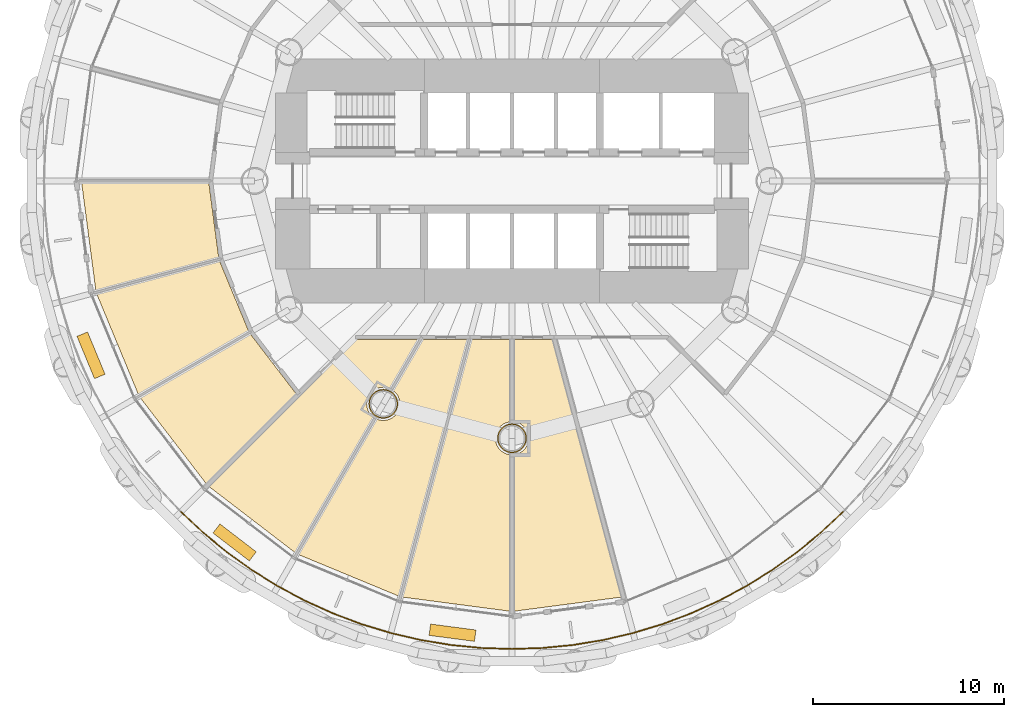
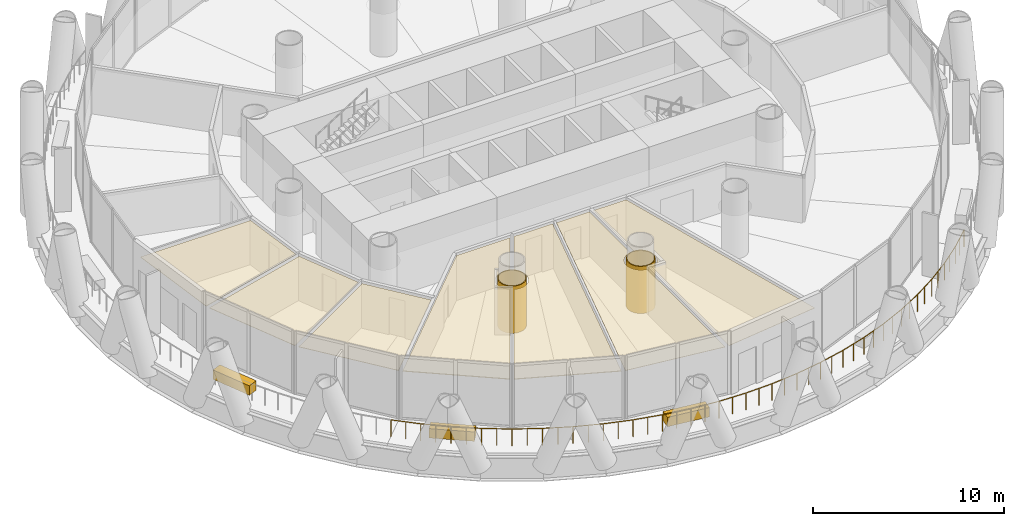
# One storey, part 13 of 16: 12 coverings, 1 railing.
"""IFC4 building model written with IfcOpenShell, lengths in metres."""

from ifc_helpers import new_model, si_unit, direction, frame, origin, origin_2d, place, context, subcontext, project, spatial, polyline, rectangle, circle, outline, extrude, material, layer, layer_set, type_object, element, save


model = new_model("IFC4")

# Units and contexts
model_context = context("Model", 3, precision=1e-05, world=origin(), true_north=direction((0.0, 1.0)))
body_context = subcontext(model_context, "Body", "Model", "MODEL_VIEW")
ifc_project = project(units=[si_unit("LENGTHUNIT", "METRE"), si_unit("AREAUNIT", "SQUARE_METRE"), si_unit("VOLUMEUNIT", "CUBIC_METRE"), si_unit("PLANEANGLEUNIT", "RADIAN"), si_unit("MASSUNIT", "GRAM", prefix="KILO")], contexts=[model_context])

# Site, building, storey
site_placement = place(None, origin())
site = spatial("IfcSite", under=ifc_project, at=site_placement, CompositionType="ELEMENT")
building_placement = place(site_placement, origin())
building = spatial("IfcBuilding", under=site, at=building_placement, Name="Qaws Media Tower", CompositionType="ELEMENT")
storey_placement = place(building_placement, frame((0.0, 0.0, 63.800048828125)))
storey = spatial("IfcBuildingStorey", under=building, at=storey_placement, Name="L13", CompositionType="ELEMENT", Elevation=63.800048828125)

# Coverings
ifc_material_1 = material(Name="40 perforated acoustic panels with mineral wool backing, suspended", Category="mineral fibre")
ifc_layer_1 = layer(ifc_material_1, 0.0400390625)
ifc_layer_set_1 = layer_set([ifc_layer_1], Name="Acoustic panel ceiling 40")
covering_type_1 = type_object("IfcCoveringType", Name="Acoustic panel ceiling 40", PredefinedType="CEILING", material=ifc_layer_set_1)
covering_1_placement = place(storey_placement, frame((0.0, 0.0, 2.849853515625)))
element("IfcCovering", 1, at=covering_1_placement, inside=storey, type_object=covering_type_1, Name="CL3 ceiling L13-08 Editors' meeting room", PredefinedType="CEILING", context=body_context, shape_type="SweptSolid", body=[
    extrude(outline(polyline([(44.119873046875, 33.960693359375), (51.8466796875, 41.6875), (55.07080078125, 41.6875), (53.58447265625, 39.11279296875), (53.475341796875, 39.14990234375), (53.36376953125, 39.172119140625), (53.25, 39.1796875), (53.13623046875, 39.172119140625), (53.024658203125, 39.14990234375), (52.916748046875, 39.11328125), (52.814453125, 39.06298828125), (52.7197265625, 38.999755859375), (52.634033203125, 38.924560546875), (52.55908203125, 38.8388671875), (52.49560546875, 38.744140625), (52.4453125, 38.64208984375), (52.40869140625, 38.5341796875), (52.386474609375, 38.42236328125), (52.37890625, 38.30859375), (52.386474609375, 38.195068359375), (52.40869140625, 38.083251953125), (52.4453125, 37.975341796875), (52.49560546875, 37.873291015625), (52.55908203125, 37.7783203125), (52.634033203125, 37.69287109375), (52.720703125, 37.616943359375), (48.617431640625, 30.509765625), (44.119873046875, 33.960693359375)])), origin(), (0.0, 0.0, 1.0), 0.0400390625),
])
covering_2_placement = place(storey_placement, frame((0.0, 0.0, 2.849853515625)))
element("IfcCovering", 2, at=covering_2_placement, inside=storey, type_object=covering_type_1, Name="CL3 ceiling L13-09 Quiet room", PredefinedType="CEILING", context=body_context, shape_type="SweptSolid", body=[
    extrude(outline(polyline([(48.812255859375, 30.397216796875), (52.91552734375, 37.50439453125), (53.024658203125, 37.46728515625), (53.13623046875, 37.445068359375), (53.25, 37.437744140625), (53.36376953125, 37.445068359375), (53.475341796875, 37.46728515625), (53.583251953125, 37.50390625), (53.685546875, 37.55419921875), (53.7802734375, 37.61767578125), (53.865966796875, 37.69287109375), (53.94091796875, 37.7783203125), (54.00439453125, 37.873291015625), (54.0546875, 37.975341796875), (54.09130859375, 38.083251953125), (54.113525390625, 38.195068359375), (54.12109375, 38.30859375), (54.113525390625, 38.42236328125), (54.09130859375, 38.5341796875), (54.0546875, 38.64208984375), (54.00439453125, 38.744140625), (53.94091796875, 38.8388671875), (53.865966796875, 38.924560546875), (53.779296875, 39.000244140625), (55.330810546875, 41.6875), (57.65625, 41.6875), (54.0498046875, 28.227783203125), (48.812255859375, 30.397216796875)])), origin(), (0.0, 0.0, 1.0), 0.0400390625),
])

# Railing
ifc_material_2 = material(Name="Stainless steel and glass guard", Category="steel")
railing_type = type_object("IfcRailingType", Name="Balcony guard 1100", PredefinedType="GUARDRAIL", material=ifc_material_2)
railing_placement = place(storey_placement, frame((42.640625, 32.640625, 0.0)))
element("IfcRailing", 3, at=railing_placement, inside=storey, type_object=railing_type, Name="GR1 balcony guard L13-3", PredefinedType="GUARDRAIL", context=body_context, shape_type="SweptSolid", body=[
    extrude(circle(Radius=0.02392578125, at=origin_2d()), frame((0.0, 0.0, 1.076171875), z_axis=(0.729755168358, -0.683708559442, 0.0), x_axis=(0.683708559442, 0.729755168358, 0.0)), (0.0, 0.0, 1.0), 1.6064453125),
    extrude(circle(Radius=0.02392578125, at=origin_2d()), frame((1.17236328125, -1.098388671875, 1.076171875), z_axis=(0.773069548835, -0.634321269282, 0.0), x_axis=(0.634321269282, 0.773069548835, 0.0)), (0.0, 0.0, 1.0), 1.6064453125),
    extrude(circle(Radius=0.02392578125, at=origin_2d()), frame((2.414306640625, -2.117431640625, 1.076171875), z_axis=(0.812849504538, -0.582473761618, 0.0), x_axis=(0.582473761618, 0.812849504538, 0.0)), (0.0, 0.0, 1.0), 1.606689453125),
    extrude(circle(Radius=0.02392578125, at=origin_2d()), frame((3.72021484375, -3.05322265625, 1.076171875), z_axis=(0.849191393384, -0.528085199, 0.0), x_axis=(0.528085199, 0.849191393384, 0.0)), (0.0, 0.0, 1.0), 1.6064453125),
    extrude(circle(Radius=0.02392578125, at=origin_2d()), frame((5.08447265625, -3.901611328125, 1.076171875), z_axis=(0.881906613636, -0.471424145356, 0.0), x_axis=(0.471424145356, 0.881906613636, 0.0)), (0.0, 0.0, 1.0), 1.6064453125),
    extrude(circle(Radius=0.02392578125, at=origin_2d()), frame((6.501220703125, -4.658935546875, 1.076171875), z_axis=(0.910912153474, -0.412600349797, 0.0), x_axis=(0.412600349797, 0.910912153474, 0.0)), (0.0, 0.0, 1.0), 1.6064453125),
    extrude(circle(Radius=0.02392578125, at=origin_2d()), frame((7.964599609375, -5.32177734375, 1.076171875), z_axis=(0.935891249728, -0.352289041388, 0.0), x_axis=(0.352289041388, 0.935891249728, 0.0)), (0.0, 0.0, 1.0), 1.6064453125),
    extrude(circle(Radius=0.02392578125, at=origin_2d()), frame((9.468017578125, -5.8876953125, 1.076171875), z_axis=(0.956947683594, -0.290260453496, 0.0), x_axis=(0.290260453496, 0.956947683594, 0.0)), (0.0, 0.0, 1.0), 1.6064453125),
    extrude(circle(Radius=0.02392578125, at=origin_2d()), frame((11.00537109375, -6.35400390625, 1.076171875), z_axis=(0.973847935236, -0.227200790134, 0.0), x_axis=(0.227200790134, 0.973847935236, 0.0)), (0.0, 0.0, 1.0), 1.6064453125),
    extrude(circle(Radius=0.02392578125, at=origin_2d()), frame((12.56982421875, -6.718994140625, 1.076171875), z_axis=(0.986643298836, -0.162895674781, 0.0), x_axis=(0.162895674781, 0.986643298836, 0.0)), (0.0, 0.0, 1.0), 1.606689453125),
    extrude(circle(Radius=0.02392578125, at=origin_2d()), frame((14.155029296875, -6.980712890625, 1.076171875), z_axis=(0.995183565926, -0.098028924866, 0.0), x_axis=(0.098028924866, 0.995183565926, 0.0)), (0.0, 0.0, 1.0), 1.6064453125),
    extrude(circle(Radius=0.02392578125, at=origin_2d()), frame((15.753662109375, -7.13818359375, 1.076171875), z_axis=(0.999466120383, -0.032672223792, 0.0), x_axis=(0.032672223792, 0.999466120383, 0.0)), (0.0, 0.0, 1.0), 1.606689453125),
    extrude(circle(Radius=0.02392578125, at=origin_2d()), frame((17.359375, -7.190673828125, 1.076171875), z_axis=(0.999466120383, 0.032672223792, 0.0), x_axis=(-0.032672223792, 0.999466120383, 0.0)), (0.0, 0.0, 1.0), 1.606689453125),
    extrude(circle(Radius=0.02392578125, at=origin_2d()), frame((18.965087890625, -7.13818359375, 1.076171875), z_axis=(0.995183565926, 0.098028924866, 0.0), x_axis=(-0.098028924866, 0.995183565926, 0.0)), (0.0, 0.0, 1.0), 1.6064453125),
    extrude(circle(Radius=0.02392578125, at=origin_2d()), frame((20.563720703125, -6.980712890625, 1.076171875), z_axis=(0.986643298836, 0.162895674781, 0.0), x_axis=(-0.162895674781, 0.986643298836, 0.0)), (0.0, 0.0, 1.0), 1.606689453125),
    extrude(circle(Radius=0.02392578125, at=origin_2d()), frame((22.14892578125, -6.718994140625, 1.076171875), z_axis=(0.973847935236, 0.227200790134, 0.0), x_axis=(-0.227200790134, 0.973847935236, 0.0)), (0.0, 0.0, 1.0), 1.6064453125),
    extrude(circle(Radius=0.02392578125, at=origin_2d()), frame((23.71337890625, -6.35400390625, 1.076171875), z_axis=(0.956947683594, 0.290260453496, 0.0), x_axis=(-0.290260453496, 0.956947683594, 0.0)), (0.0, 0.0, 1.0), 1.6064453125),
    extrude(circle(Radius=0.02392578125, at=origin_2d()), frame((25.250732421875, -5.8876953125, 1.076171875), z_axis=(0.935891249728, 0.352289041388, 0.0), x_axis=(-0.352289041388, 0.935891249728, 0.0)), (0.0, 0.0, 1.0), 1.6064453125),
    extrude(circle(Radius=0.02392578125, at=origin_2d()), frame((26.754150390625, -5.32177734375, 1.076171875), z_axis=(0.910912153474, 0.412600349797, 0.0), x_axis=(-0.412600349797, 0.910912153474, 0.0)), (0.0, 0.0, 1.0), 1.6064453125),
    extrude(circle(Radius=0.02392578125, at=origin_2d()), frame((28.217529296875, -4.658935546875, 1.076171875), z_axis=(0.881906613636, 0.471424145356, 0.0), x_axis=(-0.471424145356, 0.881906613636, 0.0)), (0.0, 0.0, 1.0), 1.6064453125),
    extrude(circle(Radius=0.02392578125, at=origin_2d()), frame((29.63427734375, -3.901611328125, 1.076171875), z_axis=(0.849191393384, 0.528085199, 0.0), x_axis=(-0.528085199, 0.849191393384, 0.0)), (0.0, 0.0, 1.0), 1.6064453125),
    extrude(circle(Radius=0.02392578125, at=origin_2d()), frame((30.99853515625, -3.05322265625, 1.076171875), z_axis=(0.812849504538, 0.582473761618, 0.0), x_axis=(-0.582473761618, 0.812849504538, 0.0)), (0.0, 0.0, 1.0), 1.606689453125),
    extrude(circle(Radius=0.02392578125, at=origin_2d()), frame((32.304443359375, -2.117431640625, 1.076171875), z_axis=(0.773069548835, 0.634321269282, 0.0), x_axis=(-0.634321269282, 0.773069548835, 0.0)), (0.0, 0.0, 1.0), 1.6064453125),
    extrude(circle(Radius=0.02392578125, at=origin_2d()), frame((33.54638671875, -1.098388671875, 1.076171875), z_axis=(0.729755168358, 0.683708559442, 0.0), x_axis=(-0.683708559442, 0.729755168358, 0.0)), (0.0, 0.0, 1.0), 1.6064453125),
    extrude(circle(Radius=0.02099609375, at=origin_2d()), origin(), (0.0, 0.0, 1.0), 1.052001953125),
    extrude(circle(Radius=0.02099609375, at=origin_2d()), frame((0.586181640625, -0.54931640625, 0.0)), (0.0, 0.0, 1.0), 1.052001953125),
    extrude(circle(Radius=0.02099609375, at=origin_2d()), frame((1.17236328125, -1.098388671875, 0.0)), (0.0, 0.0, 1.0), 1.052001953125),
    extrude(circle(Radius=0.02099609375, at=origin_2d()), frame((1.79345703125, -1.60791015625, 0.0)), (0.0, 0.0, 1.0), 1.052001953125),
    extrude(circle(Radius=0.02099609375, at=origin_2d()), frame((2.414306640625, -2.117431640625, 0.0)), (0.0, 0.0, 1.0), 1.052001953125),
    extrude(circle(Radius=0.02099609375, at=origin_2d()), frame((3.0673828125, -2.58544921875, 0.0)), (0.0, 0.0, 1.0), 1.052001953125),
    extrude(circle(Radius=0.02099609375, at=origin_2d()), frame((3.72021484375, -3.05322265625, 0.0)), (0.0, 0.0, 1.0), 1.052001953125),
    extrude(circle(Radius=0.02099609375, at=origin_2d()), frame((4.40234375, -3.4775390625, 0.0)), (0.0, 0.0, 1.0), 1.052001953125),
    extrude(circle(Radius=0.02099609375, at=origin_2d()), frame((5.08447265625, -3.901611328125, 0.0)), (0.0, 0.0, 1.0), 1.052001953125),
    extrude(circle(Radius=0.02099609375, at=origin_2d()), frame((5.79296875, -4.2802734375, 0.0)), (0.0, 0.0, 1.0), 1.052001953125),
    extrude(circle(Radius=0.02099609375, at=origin_2d()), frame((6.501220703125, -4.658935546875, 0.0)), (0.0, 0.0, 1.0), 1.052001953125),
    extrude(circle(Radius=0.02099609375, at=origin_2d()), frame((7.23291015625, -4.990234375, 0.0)), (0.0, 0.0, 1.0), 1.052001953125),
    extrude(circle(Radius=0.02099609375, at=origin_2d()), frame((7.964599609375, -5.32177734375, 0.0)), (0.0, 0.0, 1.0), 1.052001953125),
    extrude(circle(Radius=0.02099609375, at=origin_2d()), frame((8.71630859375, -5.604736328125, 0.0)), (0.0, 0.0, 1.0), 1.052001953125),
    extrude(circle(Radius=0.02099609375, at=origin_2d()), frame((9.468017578125, -5.8876953125, 0.0)), (0.0, 0.0, 1.0), 1.052001953125),
    extrude(circle(Radius=0.02099609375, at=origin_2d()), frame((10.23681640625, -6.120849609375, 0.0)), (0.0, 0.0, 1.0), 1.052001953125),
    extrude(circle(Radius=0.02099609375, at=origin_2d()), frame((11.00537109375, -6.35400390625, 0.0)), (0.0, 0.0, 1.0), 1.052001953125),
    extrude(circle(Radius=0.02099609375, at=origin_2d()), frame((11.78759765625, -6.53662109375, 0.0)), (0.0, 0.0, 1.0), 1.052001953125),
    extrude(circle(Radius=0.02099609375, at=origin_2d()), frame((12.56982421875, -6.718994140625, 0.0)), (0.0, 0.0, 1.0), 1.052001953125),
    extrude(circle(Radius=0.02099609375, at=origin_2d()), frame((13.3623046875, -6.849853515625, 0.0)), (0.0, 0.0, 1.0), 1.052001953125),
    extrude(circle(Radius=0.02099609375, at=origin_2d()), frame((14.155029296875, -6.980712890625, 0.0)), (0.0, 0.0, 1.0), 1.052001953125),
    extrude(circle(Radius=0.02099609375, at=origin_2d()), frame((14.954345703125, -7.0595703125, 0.0)), (0.0, 0.0, 1.0), 1.052001953125),
    extrude(circle(Radius=0.02099609375, at=origin_2d()), frame((15.753662109375, -7.13818359375, 0.0)), (0.0, 0.0, 1.0), 1.052001953125),
    extrude(circle(Radius=0.02099609375, at=origin_2d()), frame((16.556640625, -7.16455078125, 0.0)), (0.0, 0.0, 1.0), 1.052001953125),
    extrude(circle(Radius=0.02099609375, at=origin_2d()), frame((17.359375, -7.190673828125, 0.0)), (0.0, 0.0, 1.0), 1.052001953125),
    extrude(circle(Radius=0.02099609375, at=origin_2d()), frame((18.162109375, -7.16455078125, 0.0)), (0.0, 0.0, 1.0), 1.052001953125),
    extrude(circle(Radius=0.02099609375, at=origin_2d()), frame((18.965087890625, -7.13818359375, 0.0)), (0.0, 0.0, 1.0), 1.052001953125),
    extrude(circle(Radius=0.02099609375, at=origin_2d()), frame((19.764404296875, -7.0595703125, 0.0)), (0.0, 0.0, 1.0), 1.052001953125),
    extrude(circle(Radius=0.02099609375, at=origin_2d()), frame((20.563720703125, -6.980712890625, 0.0)), (0.0, 0.0, 1.0), 1.052001953125),
    extrude(circle(Radius=0.02099609375, at=origin_2d()), frame((21.3564453125, -6.849853515625, 0.0)), (0.0, 0.0, 1.0), 1.052001953125),
    extrude(circle(Radius=0.02099609375, at=origin_2d()), frame((22.14892578125, -6.718994140625, 0.0)), (0.0, 0.0, 1.0), 1.052001953125),
    extrude(circle(Radius=0.02099609375, at=origin_2d()), frame((22.93115234375, -6.53662109375, 0.0)), (0.0, 0.0, 1.0), 1.052001953125),
    extrude(circle(Radius=0.02099609375, at=origin_2d()), frame((23.71337890625, -6.35400390625, 0.0)), (0.0, 0.0, 1.0), 1.052001953125),
    extrude(circle(Radius=0.02099609375, at=origin_2d()), frame((24.48193359375, -6.120849609375, 0.0)), (0.0, 0.0, 1.0), 1.052001953125),
    extrude(circle(Radius=0.02099609375, at=origin_2d()), frame((25.250732421875, -5.8876953125, 0.0)), (0.0, 0.0, 1.0), 1.052001953125),
    extrude(circle(Radius=0.02099609375, at=origin_2d()), frame((26.00244140625, -5.604736328125, 0.0)), (0.0, 0.0, 1.0), 1.052001953125),
    extrude(circle(Radius=0.02099609375, at=origin_2d()), frame((26.754150390625, -5.32177734375, 0.0)), (0.0, 0.0, 1.0), 1.052001953125),
    extrude(circle(Radius=0.02099609375, at=origin_2d()), frame((27.48583984375, -4.990234375, 0.0)), (0.0, 0.0, 1.0), 1.052001953125),
    extrude(circle(Radius=0.02099609375, at=origin_2d()), frame((28.217529296875, -4.658935546875, 0.0)), (0.0, 0.0, 1.0), 1.052001953125),
    extrude(circle(Radius=0.02099609375, at=origin_2d()), frame((28.92578125, -4.2802734375, 0.0)), (0.0, 0.0, 1.0), 1.052001953125),
    extrude(circle(Radius=0.02099609375, at=origin_2d()), frame((29.63427734375, -3.901611328125, 0.0)), (0.0, 0.0, 1.0), 1.052001953125),
    extrude(circle(Radius=0.02099609375, at=origin_2d()), frame((30.31640625, -3.4775390625, 0.0)), (0.0, 0.0, 1.0), 1.052001953125),
    extrude(circle(Radius=0.02099609375, at=origin_2d()), frame((30.99853515625, -3.05322265625, 0.0)), (0.0, 0.0, 1.0), 1.052001953125),
    extrude(circle(Radius=0.02099609375, at=origin_2d()), frame((31.6513671875, -2.58544921875, 0.0)), (0.0, 0.0, 1.0), 1.052001953125),
    extrude(circle(Radius=0.02099609375, at=origin_2d()), frame((32.304443359375, -2.117431640625, 0.0)), (0.0, 0.0, 1.0), 1.052001953125),
    extrude(circle(Radius=0.02099609375, at=origin_2d()), frame((32.92529296875, -1.60791015625, 0.0)), (0.0, 0.0, 1.0), 1.052001953125),
    extrude(circle(Radius=0.02099609375, at=origin_2d()), frame((33.54638671875, -1.098388671875, 0.0)), (0.0, 0.0, 1.0), 1.052001953125),
    extrude(circle(Radius=0.02099609375, at=origin_2d()), frame((34.132568359375, -0.54931640625, 0.0)), (0.0, 0.0, 1.0), 1.052001953125),
    extrude(circle(Radius=0.02099609375, at=origin_2d()), frame((34.71875, 0.0, 0.0)), (0.0, 0.0, 1.0), 1.052001953125),
])

# Coverings
ifc_material_3 = material(Name="Two layers 15 fire-rated gypsum board on steel framing", Category="steel")
ifc_layer_2 = layer(ifc_material_3, 0.050048828125)
ifc_layer_set_2 = layer_set([ifc_layer_2], Name="Column fire casing")
covering_type_2 = type_object("IfcCoveringType", Name="Column fire casing", PredefinedType="CLADDING", material=ifc_layer_set_2)
covering_3_placement = place(storey_placement, origin())
element("IfcCovering", 4, at=covering_3_placement, inside=storey, type_object=covering_type_2, Name="CC1 column casing L13", PredefinedType="CLADDING", context=body_context, shape_type="SweptSolid", body=[
    extrude(outline(polyline([(54.01611328125, 38.30859375), (54.009521484375, 38.208740234375), (53.989990234375, 38.1103515625), (53.957763671875, 38.015380859375), (53.913330078125, 37.92578125), (53.857666015625, 37.84228515625), (53.79150390625, 37.76708984375), (53.71630859375, 37.700927734375), (53.633056640625, 37.645263671875), (53.543212890625, 37.60107421875), (53.4482421875, 37.56884765625), (53.35009765625, 37.54931640625), (53.25, 37.542724609375), (53.14990234375, 37.54931640625), (53.0517578125, 37.56884765625), (52.956787109375, 37.60107421875), (52.866943359375, 37.645263671875), (52.78369140625, 37.700927734375), (52.70849609375, 37.76708984375), (52.642333984375, 37.84228515625), (52.586669921875, 37.92578125), (52.542236328125, 38.015380859375), (52.510009765625, 38.1103515625), (52.490478515625, 38.208740234375), (52.48388671875, 38.30859375), (52.490478515625, 38.40869140625), (52.510009765625, 38.5068359375), (52.542236328125, 38.601806640625), (52.586669921875, 38.691650390625), (52.642333984375, 38.77490234375), (52.70849609375, 38.850341796875), (52.78369140625, 38.91650390625), (52.866943359375, 38.971923828125), (52.956787109375, 39.016357421875), (53.0517578125, 39.048583984375), (53.14990234375, 39.068115234375), (53.25, 39.07470703125), (53.35009765625, 39.068115234375), (53.4482421875, 39.048583984375), (53.543212890625, 39.016357421875), (53.633056640625, 38.971923828125), (53.71630859375, 38.91650390625), (53.79150390625, 38.850341796875), (53.857666015625, 38.77490234375), (53.913330078125, 38.691650390625), (53.957763671875, 38.601806640625), (53.989990234375, 38.5068359375), (54.009521484375, 38.40869140625), (54.01611328125, 38.30859375)]), holes=[polyline([(53.964111328125, 38.30859375), (53.9580078125, 38.215576171875), (53.939697265625, 38.123779296875), (53.90966796875, 38.035400390625), (53.868408203125, 37.95166015625), (53.81640625, 37.8740234375), (53.7548828125, 37.8037109375), (53.684814453125, 37.7421875), (53.60693359375, 37.690185546875), (53.523193359375, 37.64892578125), (53.434814453125, 37.618896484375), (53.34326171875, 37.600830078125), (53.25, 37.5947265625), (53.15673828125, 37.600830078125), (53.065185546875, 37.618896484375), (52.976806640625, 37.64892578125), (52.89306640625, 37.690185546875), (52.815185546875, 37.7421875), (52.7451171875, 37.8037109375), (52.68359375, 37.8740234375), (52.631591796875, 37.95166015625), (52.59033203125, 38.035400390625), (52.560302734375, 38.123779296875), (52.5419921875, 38.215576171875), (52.535888671875, 38.30859375), (52.5419921875, 38.40185546875), (52.560302734375, 38.493408203125), (52.59033203125, 38.581787109375), (52.631591796875, 38.665771484375), (52.68359375, 38.743408203125), (52.7451171875, 38.8134765625), (52.815185546875, 38.875), (52.89306640625, 38.927001953125), (52.976806640625, 38.96826171875), (53.065185546875, 38.998291015625), (53.15673828125, 39.0166015625), (53.25, 39.022705078125), (53.34326171875, 39.0166015625), (53.434814453125, 38.998291015625), (53.523193359375, 38.96826171875), (53.60693359375, 38.927001953125), (53.684814453125, 38.875), (53.7548828125, 38.8134765625), (53.81640625, 38.743408203125), (53.868408203125, 38.665771484375), (53.90966796875, 38.581787109375), (53.939697265625, 38.493408203125), (53.9580078125, 38.40185546875), (53.964111328125, 38.30859375)])]), origin(), (0.0, 0.0, 1.0), 3.02001953125),
])
covering_4_placement = place(storey_placement, origin())
element("IfcCovering", 5, at=covering_4_placement, inside=storey, type_object=covering_type_2, Name="CC1 column casing L13", PredefinedType="CLADDING", context=body_context, shape_type="SweptSolid", body=[
    extrude(outline(polyline([(60.76611328125, 36.5), (60.759521484375, 36.39990234375), (60.739990234375, 36.3017578125), (60.707763671875, 36.206787109375), (60.663330078125, 36.116943359375), (60.607666015625, 36.03369140625), (60.54150390625, 35.95849609375), (60.46630859375, 35.892333984375), (60.383056640625, 35.836669921875), (60.293212890625, 35.792236328125), (60.1982421875, 35.760009765625), (60.10009765625, 35.740478515625), (60.0, 35.73388671875), (59.89990234375, 35.740478515625), (59.8017578125, 35.760009765625), (59.706787109375, 35.792236328125), (59.616943359375, 35.836669921875), (59.53369140625, 35.892333984375), (59.45849609375, 35.95849609375), (59.392333984375, 36.03369140625), (59.336669921875, 36.116943359375), (59.292236328125, 36.206787109375), (59.260009765625, 36.3017578125), (59.240478515625, 36.39990234375), (59.23388671875, 36.5), (59.240478515625, 36.60009765625), (59.260009765625, 36.6982421875), (59.292236328125, 36.793212890625), (59.336669921875, 36.883056640625), (59.392333984375, 36.96630859375), (59.45849609375, 37.04150390625), (59.53369140625, 37.107666015625), (59.616943359375, 37.163330078125), (59.706787109375, 37.207763671875), (59.8017578125, 37.239990234375), (59.89990234375, 37.259521484375), (60.0, 37.26611328125), (60.10009765625, 37.259521484375), (60.1982421875, 37.239990234375), (60.293212890625, 37.207763671875), (60.383056640625, 37.163330078125), (60.46630859375, 37.107666015625), (60.54150390625, 37.04150390625), (60.607666015625, 36.96630859375), (60.663330078125, 36.883056640625), (60.707763671875, 36.793212890625), (60.739990234375, 36.6982421875), (60.759521484375, 36.60009765625), (60.76611328125, 36.5)]), holes=[polyline([(60.714111328125, 36.5), (60.7080078125, 36.40673828125), (60.689697265625, 36.315185546875), (60.65966796875, 36.226806640625), (60.618408203125, 36.14306640625), (60.56640625, 36.065185546875), (60.5048828125, 35.9951171875), (60.434814453125, 35.93359375), (60.35693359375, 35.881591796875), (60.273193359375, 35.84033203125), (60.184814453125, 35.810302734375), (60.09326171875, 35.7919921875), (60.0, 35.785888671875), (59.90673828125, 35.7919921875), (59.815185546875, 35.810302734375), (59.726806640625, 35.84033203125), (59.64306640625, 35.881591796875), (59.565185546875, 35.93359375), (59.4951171875, 35.9951171875), (59.43359375, 36.065185546875), (59.381591796875, 36.14306640625), (59.34033203125, 36.226806640625), (59.310302734375, 36.315185546875), (59.2919921875, 36.40673828125), (59.285888671875, 36.5), (59.2919921875, 36.59326171875), (59.310302734375, 36.684814453125), (59.34033203125, 36.773193359375), (59.381591796875, 36.85693359375), (59.43359375, 36.934814453125), (59.4951171875, 37.0048828125), (59.565185546875, 37.06640625), (59.64306640625, 37.118408203125), (59.726806640625, 37.15966796875), (59.815185546875, 37.189697265625), (59.90673828125, 37.2080078125), (60.0, 37.214111328125), (60.09326171875, 37.2080078125), (60.184814453125, 37.189697265625), (60.273193359375, 37.15966796875), (60.35693359375, 37.118408203125), (60.434814453125, 37.06640625), (60.5048828125, 37.0048828125), (60.56640625, 36.934814453125), (60.618408203125, 36.85693359375), (60.65966796875, 36.773193359375), (60.689697265625, 36.684814453125), (60.7080078125, 36.59326171875), (60.714111328125, 36.5)])]), origin(), (0.0, 0.0, 1.0), 3.02001953125),
])
ifc_material_4 = material(Name="600 x 600 mineral fibre tiles in exposed grid, suspended", Category="mineral fibre")
ifc_layer_3 = layer(ifc_material_4, 0.02001953125)
ifc_layer_set_3 = layer_set([ifc_layer_3], Name="Mineral fibre tile ceiling 20")
covering_type_3 = type_object("IfcCoveringType", Name="Mineral fibre tile ceiling 20", PredefinedType="CEILING", material=ifc_layer_set_3)
covering_5_placement = place(storey_placement, frame((0.0, 0.0, 2.849853515625)))
element("IfcCovering", 6, at=covering_5_placement, inside=storey, type_object=covering_type_3, Name="CL1 ceiling L13-10 Gents toilets", PredefinedType="CEILING", context=body_context, shape_type="SweptSolid", body=[
    extrude(outline(polyline([(54.26708984375, 28.16943359375), (57.88916015625, 41.6875), (59.887451171875, 41.6875), (59.887451171875, 37.363525390625), (59.774658203125, 37.34130859375), (59.666748046875, 37.3046875), (59.564453125, 37.25439453125), (59.4697265625, 37.19091796875), (59.384033203125, 37.115966796875), (59.30908203125, 37.0302734375), (59.24560546875, 36.935546875), (59.1953125, 36.833251953125), (59.15869140625, 36.725341796875), (59.136474609375, 36.61376953125), (59.12890625, 36.5), (59.136474609375, 36.38623046875), (59.15869140625, 36.274658203125), (59.1953125, 36.166748046875), (59.24560546875, 36.064453125), (59.30908203125, 35.9697265625), (59.384033203125, 35.884033203125), (59.4697265625, 35.80908203125), (59.564453125, 35.74560546875), (59.666748046875, 35.6953125), (59.774658203125, 35.65869140625), (59.887451171875, 35.636474609375), (59.887451171875, 27.4296875), (54.26708984375, 28.16943359375)])), origin(), (0.0, 0.0, 1.0), 0.02001953125),
])
covering_6_placement = place(storey_placement, frame((0.0, 0.0, 2.849853515625)))
element("IfcCovering", 7, at=covering_6_placement, inside=storey, type_object=covering_type_3, Name="CL1 ceiling L13-11 Ladies toilets", PredefinedType="CEILING", context=body_context, shape_type="SweptSolid", body=[
    extrude(outline(polyline([(60.112548828125, 27.4296875), (60.112548828125, 35.636474609375), (60.225341796875, 35.65869140625), (60.333251953125, 35.6953125), (60.435546875, 35.74560546875), (60.5302734375, 35.80908203125), (60.615966796875, 35.884033203125), (60.69091796875, 35.9697265625), (60.75439453125, 36.064453125), (60.8046875, 36.166748046875), (60.84130859375, 36.274658203125), (60.863525390625, 36.38623046875), (60.87109375, 36.5), (60.863525390625, 36.61376953125), (60.84130859375, 36.725341796875), (60.8046875, 36.833251953125), (60.75439453125, 36.935546875), (60.69091796875, 37.0302734375), (60.615966796875, 37.115966796875), (60.5302734375, 37.19091796875), (60.435546875, 37.25439453125), (60.333251953125, 37.3046875), (60.225341796875, 37.34130859375), (60.112548828125, 37.363525390625), (60.112548828125, 41.6875), (62.11083984375, 41.6875), (65.73291015625, 28.16943359375), (60.112548828125, 27.4296875)])), origin(), (0.0, 0.0, 1.0), 0.02001953125),
])
ifc_material_5 = material(Name="Precast concrete planter with trailing planting", Category="concrete")
ifc_layer_4 = layer(ifc_material_5, 0.60009765625)
ifc_layer_set_4 = layer_set([ifc_layer_4], Name="Planter 2400x600")
covering_type_4 = type_object("IfcCoveringType", Name="Planter 2400x600", PredefinedType="USERDEFINED", material=ifc_layer_set_4)
for number, where, z_axis, x_axis, name in (
    (8, (37.919189453125, 40.853759765625, 0.0), (0.0, 0.0, 1.0), (0.382683432365, -0.923879532511, 0.0), "PL1 balcony planter L13-07"),
    (9, (45.45068359375, 31.038818359375, 0.0), (0.0, 0.0, 1.0), (0.793353340291, -0.608761429009, 0.0), "PL1 balcony planter L13-08"),
    (10, (56.88037109375, 26.304443359375, 0.0), (0.0, 0.0, 1.0), (0.991444861374, -0.13052619222, 0.0), "PL1 balcony planter L13-09"),
):
    element("IfcCovering", number, at=place(storey_placement, frame(where, z_axis=z_axis, x_axis=x_axis)), inside=storey, type_object=covering_type_4, Name=name, ObjectType="PLANTER", PredefinedType="USERDEFINED", context=body_context, shape_type="SweptSolid", body=[
        extrude(rectangle(XDim=2.39990234375, YDim=0.60009765625, at=origin_2d()), origin(), (0.0, 0.0, 1.0), 0.60009765625),
    ])
ifc_material_6 = material(Name="Two layers 12.5 moisture-resistant plasterboard on suspended metal furring", Category="gypsum")
ifc_layer_5 = layer(ifc_material_6, 0.02490234375)
ifc_layer_set_5 = layer_set([ifc_layer_5], Name="Plasterboard ceiling 25")
covering_type_5 = type_object("IfcCoveringType", Name="Plasterboard ceiling 25", PredefinedType="CEILING", material=ifc_layer_set_5)
covering_7_placement = place(storey_placement, frame((0.0, 0.0, 2.849853515625)))
element("IfcCovering", 11, at=covering_7_placement, inside=storey, type_object=covering_type_5, Name="CL2 ceiling L13-05 Editor's office", PredefinedType="CEILING", context=body_context, shape_type="SweptSolid", body=[
    extrude(outline(polyline([(37.4296875, 49.887451171875), (44.101318359375, 49.887451171875), (44.614013671875, 45.993896484375), (38.16943359375, 44.26708984375), (37.4296875, 49.887451171875)])), origin(), (0.0, 0.0, 1.0), 0.025146484375),
])
covering_8_placement = place(storey_placement, frame((0.0, 0.0, 2.849853515625)))
element("IfcCovering", 12, at=covering_8_placement, inside=storey, type_object=covering_type_5, Name="CL2 ceiling L13-06 Editor's office", PredefinedType="CEILING", context=body_context, shape_type="SweptSolid", body=[
    extrude(outline(polyline([(38.227783203125, 44.0498046875), (44.672119140625, 45.776611328125), (46.175048828125, 42.148193359375), (40.397216796875, 38.812255859375), (38.227783203125, 44.0498046875)])), origin(), (0.0, 0.0, 1.0), 0.025146484375),
])
covering_9_placement = place(storey_placement, frame((0.0, 0.0, 2.849853515625)))
element("IfcCovering", 13, at=covering_9_placement, inside=storey, type_object=covering_type_5, Name="CL2 ceiling L13-07 Editor's office", PredefinedType="CEILING", context=body_context, shape_type="SweptSolid", body=[
    extrude(outline(polyline([(40.509765625, 38.617431640625), (46.28759765625, 41.953125), (48.678466796875, 38.83740234375), (43.960693359375, 34.119873046875), (40.509765625, 38.617431640625)])), origin(), (0.0, 0.0, 1.0), 0.025146484375),
])

save(model, "model.ifc")
